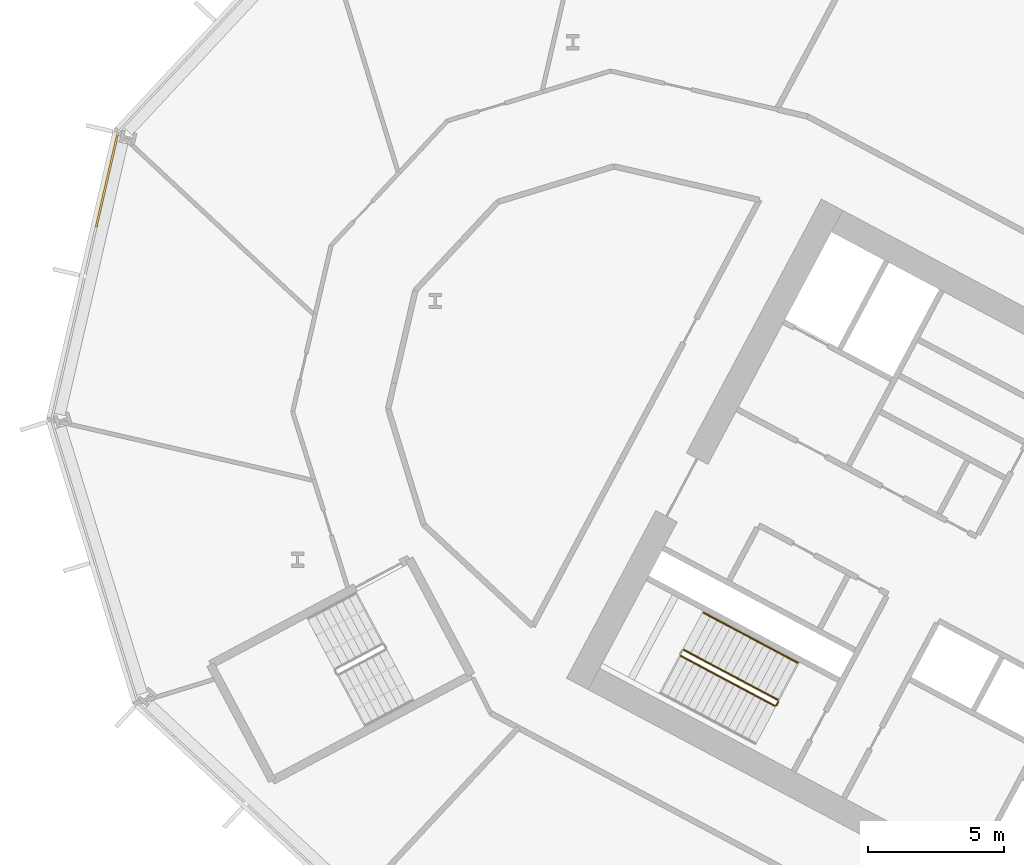
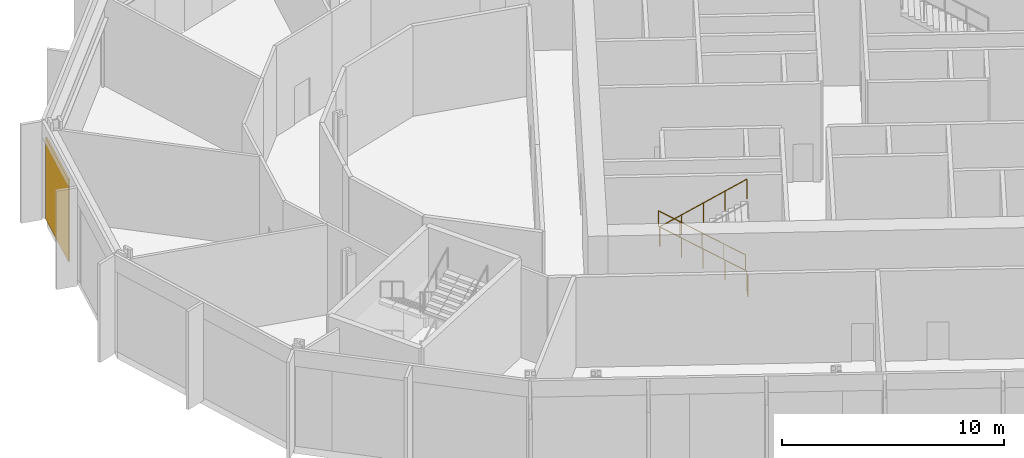
# One storey, part 22 of 31: 4 railings, 1 covering, 1 element without a shape of its own.
"""IFC4 building model written with IfcOpenShell, lengths in metres."""

from ifc_helpers import new_model, si_unit, direction, frame, origin, origin_2d, place, context, subcontext, project, spatial, polyline, rectangle, outline, extrude, material, layer, layer_set, type_object, element, aggregate, save


model = new_model("IFC4")

# Units and contexts
model_context = context("Model", 3, precision=1e-05, world=origin(), true_north=direction((0.0, 1.0)))
body_context = subcontext(model_context, "Body", "Model", "MODEL_VIEW")
ifc_project = project(units=[si_unit("LENGTHUNIT", "METRE"), si_unit("AREAUNIT", "SQUARE_METRE"), si_unit("VOLUMEUNIT", "CUBIC_METRE"), si_unit("PLANEANGLEUNIT", "RADIAN"), si_unit("MASSUNIT", "GRAM", prefix="KILO")], contexts=[model_context])

# Site, building, storey
site_placement = place(None, origin())
site = spatial("IfcSite", under=ifc_project, at=site_placement, CompositionType="ELEMENT")
building_placement = place(site_placement, origin())
building = spatial("IfcBuilding", under=site, at=building_placement, Name="Cormorant Relay Tower", CompositionType="ELEMENT")
storey_placement = place(building_placement, frame((0.0, 0.0, 50.0)))
storey = spatial("IfcBuildingStorey", under=building, at=storey_placement, Name="L09", CompositionType="ELEMENT", Elevation=50.0)

# Curtain wall, covering
ifc_material_1 = material(Name="Aluminium 6063-T6 anodised bronze", Category="aluminium")
ifc_layer_1 = layer(ifc_material_1, 0.235107421875)
ifc_layer_set_1 = layer_set([ifc_layer_1], Name="CW6 data hall curtain wall with mineral wool panels")
curtain_wall_type = type_object("IfcCurtainWallType", Name="CW6 data hall curtain wall with mineral wool panels", PredefinedType="NOTDEFINED", material=ifc_layer_set_1)
curtain_wall_placement = place(storey_placement, origin())
curtain_wall = element("IfcCurtainWall", 1, at=curtain_wall_placement, inside=storey, type_object=curtain_wall_type, Name="CW6 curtain wall 11", PredefinedType="NOTDEFINED")
ifc_material_2 = material(Name="Mineral wool cored anodised bronze aluminium cassette panel", Category="aluminium")
ifc_layer_2 = layer(ifc_material_2, 0.074951171875)
ifc_layer_set_2 = layer_set([ifc_layer_2], Name="CW6 mineral wool cassette panel 75")
covering_type = type_object("IfcCoveringType", Name="CW6 mineral wool cassette panel 75", PredefinedType="CLADDING", material=ifc_layer_set_2)
covering_placement = place(storey_placement, frame((-58.719970703125, 29.222412109375, 0.0), z_axis=(0.0, 0.0, 1.0), x_axis=(-0.224951054344, -0.974370064785, 0.0)))
covering = element("IfcCovering", 2, at=covering_placement, type_object=covering_type, Name="CW6 panel S00", PredefinedType="CLADDING", context=body_context, shape_type="SweptSolid", body=[
    extrude(rectangle(XDim=3.485107421875, YDim=0.074951171875, at=origin_2d()), origin(), (0.0, 0.0, 1.0), 4.5),
])
aggregate(curtain_wall, [covering])

# Railings
ifc_material_3 = material(Name="Steel ASTM A572 Grade 50 (Fy 345 MPa)", Category="steel")
railing_type_1 = type_object("IfcRailingType", Name="Stair guard 1100", PredefinedType="GUARDRAIL", material=ifc_material_3)
railing_1_placement = place(storey_placement, frame((-33.9921875, 10.08935546875, 0.179931640625)))
element("IfcRailing", 3, at=railing_1_placement, inside=storey, type_object=railing_type_1, Name="L09 A2 stair guard 1", PredefinedType="GUARDRAIL", context=body_context, shape_type="SweptSolid", body=[
    extrude(outline(polyline([(0.022216796875, 0.00927734375), (0.00927734375, 0.022216796875), (-0.00927734375, 0.022216796875), (-0.022216796875, 0.00927734375), (-0.022216796875, -0.00927734375), (-0.00927734375, -0.022216796875), (0.00927734375, -0.022216796875), (0.022216796875, -0.00927734375), (0.022216796875, 0.00927734375)])), frame((0.0, 0.0, 1.076171875), z_axis=(-0.74271721126, 0.394907409077, 0.540758062681), x_axis=(-0.469469396681, -0.882948744594, 0.0)), (0.0, 0.0, 1.0), 4.66015625),
    extrude(outline(polyline([(0.019287109375, 0.008056640625), (0.008056640625, 0.019287109375), (-0.008056640625, 0.019287109375), (-0.019287109375, 0.008056640625), (-0.019287109375, -0.008056640625), (-0.008056640625, -0.019287109375), (0.008056640625, -0.019287109375), (0.019287109375, -0.008056640625), (0.019287109375, 0.008056640625)])), origin(), (0.0, 0.0, 1.0), 1.052001953125),
    extrude(outline(polyline([(0.019287109375, 0.008056640625), (0.008056640625, 0.019287109375), (-0.008056640625, 0.019287109375), (-0.019287109375, 0.008056640625), (-0.019287109375, -0.008056640625), (-0.008056640625, -0.019287109375), (0.008056640625, -0.019287109375), (0.019287109375, -0.008056640625), (0.019287109375, 0.008056640625)])), frame((-0.865234375, 0.4599609375, 0.6298828125)), (0.0, 0.0, 1.0), 1.052001953125),
    extrude(outline(polyline([(0.019287109375, 0.008056640625), (0.008056640625, 0.019287109375), (-0.008056640625, 0.019287109375), (-0.019287109375, 0.008056640625), (-0.019287109375, -0.008056640625), (-0.008056640625, -0.019287109375), (0.008056640625, -0.019287109375), (0.019287109375, -0.008056640625), (0.019287109375, 0.008056640625)])), frame((-1.73046875, 0.920166015625, 1.260009765625)), (0.0, 0.0, 1.0), 1.052001953125),
    extrude(outline(polyline([(0.019287109375, 0.008056640625), (0.008056640625, 0.019287109375), (-0.008056640625, 0.019287109375), (-0.019287109375, 0.008056640625), (-0.019287109375, -0.008056640625), (-0.008056640625, -0.019287109375), (0.008056640625, -0.019287109375), (0.019287109375, -0.008056640625), (0.019287109375, 0.008056640625)])), frame((-2.595947265625, 1.38037109375, 1.89013671875)), (0.0, 0.0, 1.0), 1.052001953125),
    extrude(outline(polyline([(0.019287109375, 0.008056640625), (0.008056640625, 0.019287109375), (-0.008056640625, 0.019287109375), (-0.019287109375, 0.008056640625), (-0.019287109375, -0.008056640625), (-0.008056640625, -0.019287109375), (0.008056640625, -0.019287109375), (0.019287109375, -0.008056640625), (0.019287109375, 0.008056640625)])), frame((-3.461181640625, 1.84033203125, 2.52001953125)), (0.0, 0.0, 1.0), 1.052001953125),
])
railing_2_placement = place(storey_placement, frame((-37.57080078125, 11.708984375, 2.8798828125)))
element("IfcRailing", 4, at=railing_2_placement, inside=storey, type_object=railing_type_1, Name="L09 A2 stair guard 3", PredefinedType="GUARDRAIL", context=body_context, shape_type="SweptSolid", body=[
    extrude(outline(polyline([(0.022216796875, 0.00927734375), (0.00927734375, 0.022216796875), (-0.00927734375, 0.022216796875), (-0.022216796875, 0.00927734375), (-0.022216796875, -0.00927734375), (-0.00927734375, -0.022216796875), (0.00927734375, -0.022216796875), (0.022216796875, -0.00927734375), (0.022216796875, 0.00927734375)])), frame((0.0, 0.0, 1.076171875), z_axis=(0.74271721126, -0.394907409077, 0.540758062681), x_axis=(0.469469396681, 0.882948744594, 0.0)), (0.0, 0.0, 1.0), 4.66015625),
    extrude(outline(polyline([(0.019287109375, 0.008056640625), (0.008056640625, 0.019287109375), (-0.008056640625, 0.019287109375), (-0.019287109375, 0.008056640625), (-0.019287109375, -0.008056640625), (-0.008056640625, -0.019287109375), (0.008056640625, -0.019287109375), (0.019287109375, -0.008056640625), (0.019287109375, 0.008056640625)])), origin(), (0.0, 0.0, 1.0), 1.052001953125),
    extrude(outline(polyline([(0.019287109375, 0.008056640625), (0.008056640625, 0.019287109375), (-0.008056640625, 0.019287109375), (-0.019287109375, 0.008056640625), (-0.019287109375, -0.008056640625), (-0.008056640625, -0.019287109375), (0.008056640625, -0.019287109375), (0.019287109375, -0.008056640625), (0.019287109375, 0.008056640625)])), frame((0.865234375, -0.4599609375, 0.6298828125)), (0.0, 0.0, 1.0), 1.052001953125),
    extrude(outline(polyline([(0.019287109375, 0.008056640625), (0.008056640625, 0.019287109375), (-0.008056640625, 0.019287109375), (-0.019287109375, 0.008056640625), (-0.019287109375, -0.008056640625), (-0.008056640625, -0.019287109375), (0.008056640625, -0.019287109375), (0.019287109375, -0.008056640625), (0.019287109375, 0.008056640625)])), frame((1.73046875, -0.920166015625, 1.260009765625)), (0.0, 0.0, 1.0), 1.052001953125),
    extrude(outline(polyline([(0.019287109375, 0.008056640625), (0.008056640625, 0.019287109375), (-0.008056640625, 0.019287109375), (-0.019287109375, 0.008056640625), (-0.019287109375, -0.008056640625), (-0.008056640625, -0.019287109375), (0.008056640625, -0.019287109375), (0.019287109375, -0.008056640625), (0.019287109375, 0.008056640625)])), frame((2.595947265625, -1.38037109375, 1.89013671875)), (0.0, 0.0, 1.0), 1.052001953125),
    extrude(outline(polyline([(0.019287109375, 0.008056640625), (0.008056640625, 0.019287109375), (-0.008056640625, 0.019287109375), (-0.019287109375, 0.008056640625), (-0.019287109375, -0.008056640625), (-0.008056640625, -0.019287109375), (0.008056640625, -0.019287109375), (0.019287109375, -0.008056640625), (0.019287109375, 0.008056640625)])), frame((3.461181640625, -1.84033203125, 2.52001953125)), (0.0, 0.0, 1.0), 1.052001953125),
])
railing_3_placement = place(storey_placement, frame((-33.971435546875, 10.021728515625, 0.0)))
element("IfcRailing", 5, at=railing_3_placement, inside=storey, type_object=railing_type_1, Name="L09 A2 stair guard 4", PredefinedType="GUARDRAIL", context=body_context, shape_type="SweptSolid", body=[
    extrude(outline(polyline([(0.022216796875, 0.00927734375), (0.00927734375, 0.022216796875), (-0.00927734375, 0.022216796875), (-0.022216796875, 0.00927734375), (-0.022216796875, -0.00927734375), (-0.00927734375, -0.022216796875), (0.00927734375, -0.022216796875), (0.022216796875, -0.00927734375), (0.022216796875, 0.00927734375)])), frame((0.0, 0.0, 1.076171875), z_axis=(-0.470503732759, -0.882398003998, 0.0), x_axis=(0.882398003998, -0.470503732759, 0.0)), (0.0, 0.0, 1.0), 0.14990234375),
    extrude(outline(polyline([(0.019287109375, 0.008056640625), (0.008056640625, 0.019287109375), (-0.008056640625, 0.019287109375), (-0.019287109375, 0.008056640625), (-0.019287109375, -0.008056640625), (-0.008056640625, -0.019287109375), (0.008056640625, -0.019287109375), (0.019287109375, -0.008056640625), (0.019287109375, 0.008056640625)])), origin(), (0.0, 0.0, 1.0), 1.052001953125),
    extrude(outline(polyline([(0.019287109375, 0.008056640625), (0.008056640625, 0.019287109375), (-0.008056640625, 0.019287109375), (-0.019287109375, 0.008056640625), (-0.019287109375, -0.008056640625), (-0.008056640625, -0.019287109375), (0.008056640625, -0.019287109375), (0.019287109375, -0.008056640625), (0.019287109375, 0.008056640625)])), frame((-0.070556640625, -0.13232421875, 0.0)), (0.0, 0.0, 1.0), 1.052001953125),
])
ifc_material_4 = material(Name="Steel ASTM A572 Grade 50 (Fy 345 MPa)", Category="steel")
railing_type_2 = type_object("IfcRailingType", Name="Stair handrail 900", PredefinedType="HANDRAIL", material=ifc_material_4)
railing_4_placement = place(storey_placement, frame((-33.264404296875, 11.4580078125, 0.179931640625)))
element("IfcRailing", 6, at=railing_4_placement, inside=storey, type_object=railing_type_2, Name="L09 A2 stair handrail 1", PredefinedType="HANDRAIL", context=body_context, shape_type="SweptSolid", body=[
    extrude(outline(polyline([(0.022216796875, 0.00927734375), (0.00927734375, 0.022216796875), (-0.00927734375, 0.022216796875), (-0.022216796875, 0.00927734375), (-0.022216796875, -0.00927734375), (-0.00927734375, -0.022216796875), (0.00927734375, -0.022216796875), (0.022216796875, -0.00927734375), (0.022216796875, 0.00927734375)])), frame((0.0, 0.0, 0.8759765625), z_axis=(-0.74271721126, 0.394907409077, 0.540758062681), x_axis=(-0.469469396681, -0.882948744594, 0.0)), (0.0, 0.0, 1.0), 4.66015625),
    extrude(outline(polyline([(0.019287109375, 0.008056640625), (0.008056640625, 0.019287109375), (-0.008056640625, 0.019287109375), (-0.019287109375, 0.008056640625), (-0.019287109375, -0.008056640625), (-0.008056640625, -0.019287109375), (0.008056640625, -0.019287109375), (0.019287109375, -0.008056640625), (0.019287109375, 0.008056640625)])), origin(), (0.0, 0.0, 1.0), 0.851806640625),
    extrude(outline(polyline([(0.019287109375, 0.008056640625), (0.008056640625, 0.019287109375), (-0.008056640625, 0.019287109375), (-0.019287109375, 0.008056640625), (-0.019287109375, -0.008056640625), (-0.008056640625, -0.019287109375), (0.008056640625, -0.019287109375), (0.019287109375, -0.008056640625), (0.019287109375, 0.008056640625)])), frame((-0.865234375, 0.4599609375, 0.6298828125)), (0.0, 0.0, 1.0), 0.851806640625),
    extrude(outline(polyline([(0.019287109375, 0.008056640625), (0.008056640625, 0.019287109375), (-0.008056640625, 0.019287109375), (-0.019287109375, 0.008056640625), (-0.019287109375, -0.008056640625), (-0.008056640625, -0.019287109375), (0.008056640625, -0.019287109375), (0.019287109375, -0.008056640625), (0.019287109375, 0.008056640625)])), frame((-1.73046875, 0.920166015625, 1.260009765625)), (0.0, 0.0, 1.0), 0.851806640625),
    extrude(outline(polyline([(0.019287109375, 0.008056640625), (0.008056640625, 0.019287109375), (-0.008056640625, 0.019287109375), (-0.019287109375, 0.008056640625), (-0.019287109375, -0.008056640625), (-0.008056640625, -0.019287109375), (0.008056640625, -0.019287109375), (0.019287109375, -0.008056640625), (0.019287109375, 0.008056640625)])), frame((-2.595947265625, 1.38037109375, 1.89013671875)), (0.0, 0.0, 1.0), 0.851806640625),
    extrude(outline(polyline([(0.019287109375, 0.008056640625), (0.008056640625, 0.019287109375), (-0.008056640625, 0.019287109375), (-0.019287109375, 0.008056640625), (-0.019287109375, -0.008056640625), (-0.008056640625, -0.019287109375), (0.008056640625, -0.019287109375), (0.019287109375, -0.008056640625), (0.019287109375, 0.008056640625)])), frame((-3.461181640625, 1.84033203125, 2.52001953125)), (0.0, 0.0, 1.0), 0.851806640625),
])

save(model, "model.ifc")
